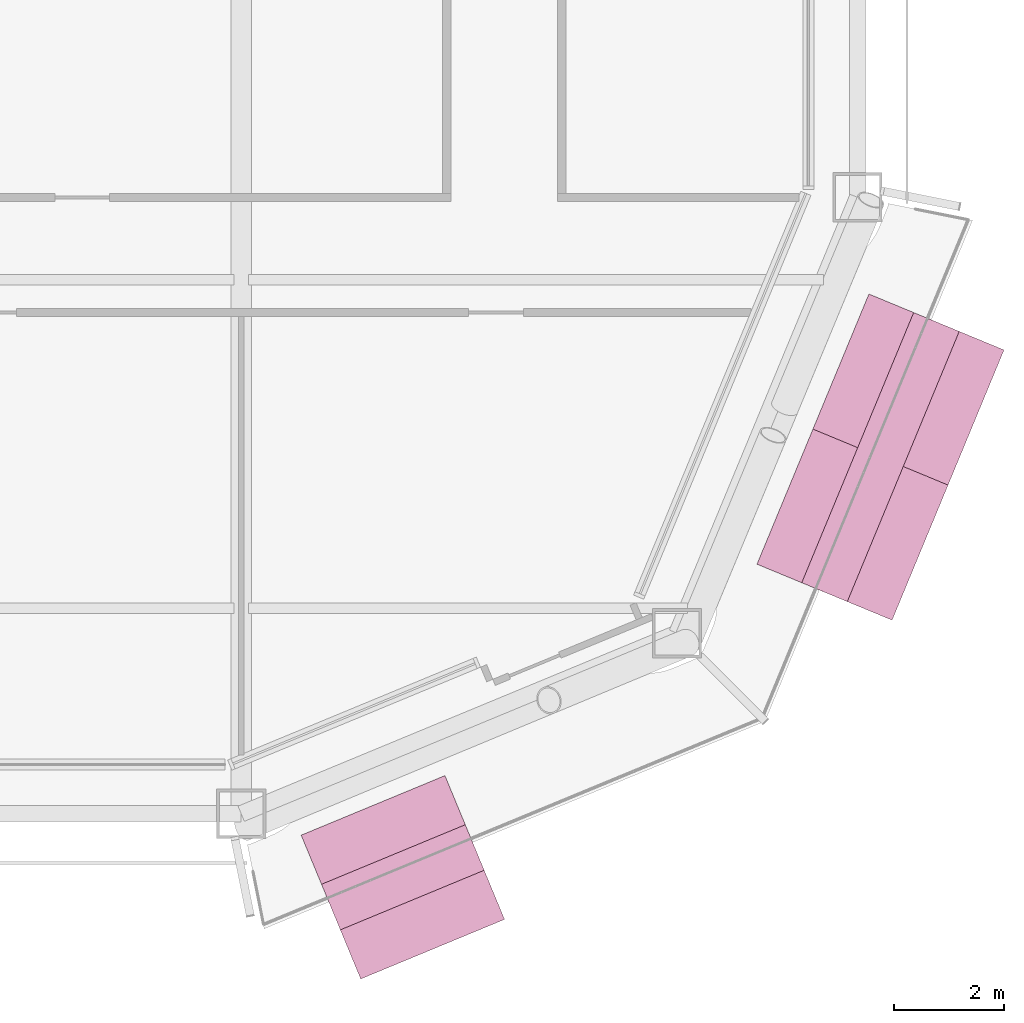
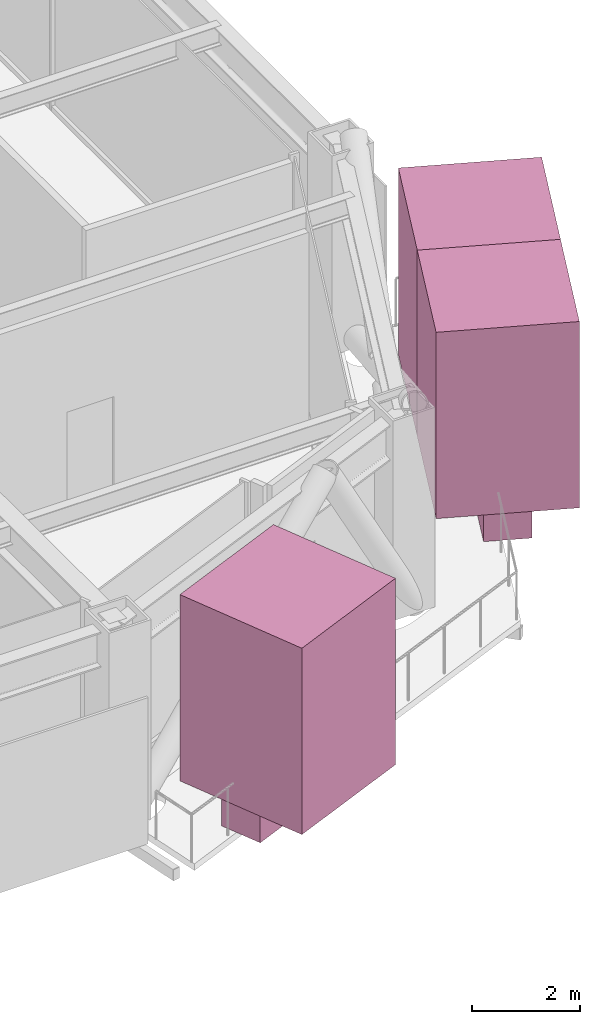
# One storey, part 23 of 23: 5 furnishings.
"""IFC4 building model written with IfcOpenShell, lengths in metres."""

import ifcopenshell
import ifcopenshell.guid

model = None  # the IFC model being written
_history = None  # IfcOwnerHistory: only IFC2X3 demands one
_inside = {}  # id of a spatial element -> (the spatial element, [elements in it])
_under = {}  # id of a project, library or spatial element -> (it, [spatial elements below it])
_declared = {}  # id of a project -> (the project, [libraries it declares])
_typed = {}  # id of a type object -> (the type object, [elements of that type])
_made_of = {}  # id of a material, layer set ... -> (it, [elements and type objects made of it])


def new_model(schema):
    """Start an empty IFC model of exactly this schema.

    Asked for "IFC4X3", IfcOpenShell would pick the latest addendum, in which some entities
    have other attributes; the version numbers below select the first issue.
    IFC2X3 requires an IfcOwnerHistory on every rooted entity: one is made here for all.
    """
    global model, _history
    if schema == "IFC4X3":
        model = ifcopenshell.file(schema_version=(4, 3, 0, 0))
    else:
        model = ifcopenshell.file(schema=schema)
    _inside.clear()
    _under.clear()
    _declared.clear()
    _typed.clear()
    _made_of.clear()
    _history = None
    if model.schema == "IFC2X3":
        org = make("IfcOrganization", Name="unknown")
        user = make(
            "IfcPersonAndOrganization",
            ThePerson=make("IfcPerson", FamilyName="unknown"),
            TheOrganization=org,
        )
        app = make(
            "IfcApplication",
            ApplicationDeveloper=org,
            Version="unknown",
            ApplicationFullName="unknown",
            ApplicationIdentifier="unknown",
        )
        _history = make(
            "IfcOwnerHistory",
            OwningUser=user,
            OwningApplication=app,
            ChangeAction="ADDED",
            CreationDate=0,
        )
    return model


def make(cls, **values):
    """One entity of the class cls with the attributes given. An attribute that is None is left unset."""
    return model.create_entity(
        cls, **{name: value for name, value in values.items() if value is not None}
    )


def rooted(cls, **values):
    """An entity with a GlobalId (a new one), such as an element, a storey or a relation."""
    return make(cls, GlobalId=ifcopenshell.guid.new(), OwnerHistory=_history, **values)


def si_unit(unit_type, name, prefix=None):
    """IfcSIUnit, for example si_unit("LENGTHUNIT", "METRE", prefix="MILLI")."""
    return make("IfcSIUnit", UnitType=unit_type, Prefix=prefix, Name=name)


def assignment(units):
    """IfcUnitAssignment: the units of a project."""
    return None if units is None else make("IfcUnitAssignment", Units=units)


def point(xyz):
    """IfcCartesianPoint."""
    return None if xyz is None else make("IfcCartesianPoint", Coordinates=xyz)


def direction(xyz):
    """IfcDirection."""
    return None if xyz is None else make("IfcDirection", DirectionRatios=xyz)


def frame(location, z_axis=None, x_axis=None):
    """IfcAxis2Placement3D, a coordinate frame: its origin and axes. An axis left out is left unset."""
    return make(
        "IfcAxis2Placement3D",
        Location=point(location),
        Axis=direction(z_axis),
        RefDirection=direction(x_axis),
    )


def frame_2d(location, x_axis=None):
    """IfcAxis2Placement2D, a coordinate frame in the plane: its origin and x axis."""
    return make(
        "IfcAxis2Placement2D", Location=point(location), RefDirection=direction(x_axis)
    )


def origin():
    """The frame at (0, 0, 0) with its axes left unset."""
    return frame((0.0, 0.0, 0.0))


def origin_2d():
    """The frame at (0, 0) in the plane with its x axis left unset."""
    return frame_2d((0.0, 0.0))


def place(relative_to, where):
    """IfcLocalPlacement: puts the frame where relative to a parent placement (None: the world)."""
    return make(
        "IfcLocalPlacement", PlacementRelTo=relative_to, RelativePlacement=where
    )


def context(
    kind, dimensions, precision=None, world=None, true_north=None, identifier=None
):
    """IfcGeometricRepresentationContext, for example the 3D "Model" context."""
    return make(
        "IfcGeometricRepresentationContext",
        ContextIdentifier=identifier,
        ContextType=kind,
        CoordinateSpaceDimension=dimensions,
        Precision=precision,
        WorldCoordinateSystem=world,
        TrueNorth=true_north,
    )


def subcontext(parent, identifier, kind, view, scale=None):
    """IfcGeometricRepresentationSubContext, for example "Body" below "Model"."""
    return make(
        "IfcGeometricRepresentationSubContext",
        ContextIdentifier=identifier,
        ContextType=kind,
        ParentContext=parent,
        TargetScale=scale,
        TargetView=view,
    )


def project(units=None, contexts=None):
    """IfcProject with its units and contexts."""
    return rooted(
        "IfcProject",
        Name="project",
        RepresentationContexts=contexts,
        UnitsInContext=assignment(units),
    )


def spatial(cls, under=None, at=None, **own):
    """A site, building, storey or space (cls), placed at a placement, below another one or the project."""
    s = rooted(cls, ObjectPlacement=at, **own)
    if under is not None:
        _under.setdefault(under.id(), (under, []))[1].append(s)
    return s


def profile(cls, at=None, kind="AREA", **sizes):
    """A parametric profile (cls). Its sizes go by their IFC names, for example OverallWidth=200.0."""
    return make(cls, ProfileType=kind, Position=at, **sizes)


def rectangle(**sizes):
    """IfcRectangleProfileDef."""
    return profile("IfcRectangleProfileDef", **sizes)


def extrude(swept, where, along, depth):
    """IfcExtrudedAreaSolid: the profile swept, set in the frame where, extruded along a direction by depth."""
    return make(
        "IfcExtrudedAreaSolid",
        SweptArea=swept,
        Position=where,
        ExtrudedDirection=direction(along),
        Depth=depth,
    )


def shape(context_of_items, identifier, shape_type, items):
    """IfcShapeRepresentation: the items that make up one representation, for example the "Body"."""
    return make(
        "IfcShapeRepresentation",
        ContextOfItems=context_of_items,
        RepresentationIdentifier=identifier,
        RepresentationType=shape_type,
        Items=items,
    )


def material(Name=None, Category=None):
    """IfcMaterial."""
    return make("IfcMaterial", Name=Name, Category=Category)


def made_of(thing, what):
    """Note that an element or type object is made of a material, layer set ...; save() writes the relation."""
    if what is not None:
        _made_of.setdefault(what.id(), (what, []))[1].append(thing)
    return thing


def type_object(cls, material=None, **own):
    """A type object (cls), such as IfcWallType, which elements share."""
    return made_of(rooted(cls, **own), material)


def element(
    cls,
    number,
    at=None,
    inside=None,
    cuts=None,
    type_object=None,
    material=None,
    context=None,
    identifier="Body",
    shape_type=None,
    held_by="IfcProductDefinitionShape",
    body=None,
    shapes=None,
    **own,
):
    """One element of the class cls, such as IfcWall. Its Tag is "e" and its number.

    at: its placement. inside: the storey or other place that contains it. cuts: it is an
    opening in that element (IfcRelVoidsElement). A single representation is given by context,
    identifier, shape_type and body (its items); several are given by shapes. held_by: the class
    of the entity that holds the representations. save() writes the other relations.
    """
    e = rooted(cls, Tag="e%d" % number, ObjectPlacement=at, **own)
    if body is not None:
        shapes = [shape(context, identifier, shape_type, body)]
    if shapes is not None:
        e.Representation = make(held_by, Representations=shapes)
    if inside is not None:
        _inside.setdefault(inside.id(), (inside, []))[1].append(e)
    if cuts is not None:
        rooted(
            "IfcRelVoidsElement", RelatingBuildingElement=cuts, RelatedOpeningElement=e
        )
    if type_object is not None:
        _typed.setdefault(type_object.id(), (type_object, []))[1].append(e)
    return made_of(e, material)


def aggregate(whole, parts):
    """IfcRelAggregates: a whole, such as a stair, and the parts it consists of."""
    return rooted("IfcRelAggregates", RelatingObject=whole, RelatedObjects=parts)


def save(model, path):
    """Write the relations noted so far, then the file.

    IfcRelAggregates (storeys below a building ...), IfcRelContainedInSpatialStructure (elements
    in a storey), IfcRelDefinesByType, IfcRelAssociatesMaterial and IfcRelDeclares: one each for
    every whole, place, type object, material and project.
    """
    for whole, parts in _under.values():
        aggregate(whole, parts)
    for where, things in _inside.values():
        rooted(
            "IfcRelContainedInSpatialStructure",
            RelatedElements=things,
            RelatingStructure=where,
        )
    for kind, things in _typed.values():
        rooted("IfcRelDefinesByType", RelatedObjects=things, RelatingType=kind)
    for what, things in _made_of.values():
        rooted("IfcRelAssociatesMaterial", RelatedObjects=things, RelatingMaterial=what)
    for by, libraries in _declared.values():
        rooted("IfcRelDeclares", RelatingContext=by, RelatedDefinitions=libraries)
    model.write(path)


model = new_model("IFC4")

# Units and contexts
model_context = context("Model", 3, precision=1e-05, world=origin(), true_north=direction((0.0, 1.0)))
body_context = subcontext(model_context, "Body", "Model", "MODEL_VIEW")
ifc_project = project(units=[si_unit("LENGTHUNIT", "METRE"), si_unit("AREAUNIT", "SQUARE_METRE"), si_unit("VOLUMEUNIT", "CUBIC_METRE"), si_unit("PLANEANGLEUNIT", "RADIAN"), si_unit("MASSUNIT", "GRAM", prefix="KILO")], contexts=[model_context])

# Site, building, storey
site_placement = place(None, origin())
site = spatial("IfcSite", under=ifc_project, at=site_placement, CompositionType="ELEMENT")
building_placement = place(site_placement, origin())
building = spatial("IfcBuilding", under=site, at=building_placement, Name="Siwar Civic Tower", CompositionType="ELEMENT")
storey_placement = place(building_placement, frame((0.0, 0.0, 163.199951171875)))
storey = spatial("IfcBuildingStorey", under=building, at=storey_placement, Name="L35", CompositionType="ELEMENT", Elevation=163.199951171875)

# Furnishings
ifc_material_1 = material(Name="Planting soil and foliage")
furnishing_element_type_1 = type_object("IfcFurnishingElementType", Name="ENV-PLANTER", material=ifc_material_1)
furnishing_1_placement = place(storey_placement, frame((20.949951171875, -30.409423828125, 0.0), z_axis=(0.0, 0.0, 1.0), x_axis=(0.923879532511, 0.382683432365, 0.0)))
element("IfcFurnishingElement", 1, at=furnishing_1_placement, inside=storey, type_object=furnishing_element_type_1, Name="PLANTER SE 1", context=body_context, shape_type="SweptSolid", body=[
    extrude(rectangle(XDim=2.84130859375, YDim=0.89990234375, at=origin_2d()), origin(), (0.0, 0.0, 1.0), 0.60009765625),
])
furnishing_2_placement = place(storey_placement, frame((29.66796875, -22.73974609375, 0.0), z_axis=(0.0, 0.0, 1.0), x_axis=(0.382683432365, 0.923879532511, 0.0)))
element("IfcFurnishingElement", 2, at=furnishing_2_placement, inside=storey, type_object=furnishing_element_type_1, Name="PLANTER SE 2", context=body_context, shape_type="SweptSolid", body=[
    extrude(rectangle(XDim=5.33837890625, YDim=0.89990234375, at=origin_2d()), origin(), (0.0, 0.0, 1.0), 0.60009765625),
])
ifc_material_2 = material(Name="Planting soil and foliage")
furnishing_element_type_2 = type_object("IfcFurnishingElementType", Name="ENV-TREE", material=ifc_material_2)
furnishing_3_placement = place(storey_placement, frame((20.949951171875, -30.409423828125, 0.60009765625), z_axis=(0.0, 0.0, 1.0), x_axis=(0.923879532511, 0.382683432365, 0.0)))
element("IfcFurnishingElement", 3, at=furnishing_3_placement, inside=storey, type_object=furnishing_element_type_2, Name="PLANTER (TREE) SE 1.1", context=body_context, shape_type="SweptSolid", body=[
    extrude(rectangle(XDim=2.84130859375, YDim=2.84130859375, at=origin_2d()), origin(), (0.0, 0.0, 1.0), 4.199951171875),
])
for number, where, z_axis, x_axis, name in (
    (4, (29.1572265625, -23.972900390625, 0.60009765625), (0.0, 0.0, 1.0), (0.382683432365, 0.923879532511, 0.0), "PLANTER (TREE) SE 2.1"),
    (5, (30.1787109375, -21.5068359375, 0.60009765625), (0.0, 0.0, 1.0), (0.382683432365, 0.923879532511, 0.0), "PLANTER (TREE) SE 2.2"),
):
    element("IfcFurnishingElement", number, at=place(storey_placement, frame(where, z_axis=z_axis, x_axis=x_axis)), inside=storey, type_object=furnishing_element_type_2, Name=name, context=body_context, shape_type="SweptSolid", body=[
        extrude(rectangle(XDim=2.669189453125, YDim=2.669189453125, at=origin_2d()), origin(), (0.0, 0.0, 1.0), 4.199951171875),
    ])

save(model, "model.ifc")
